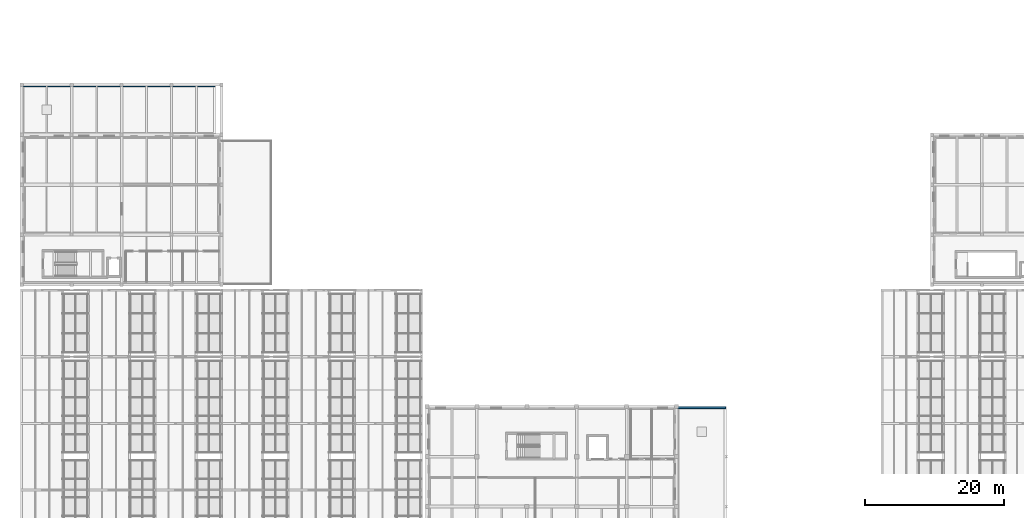
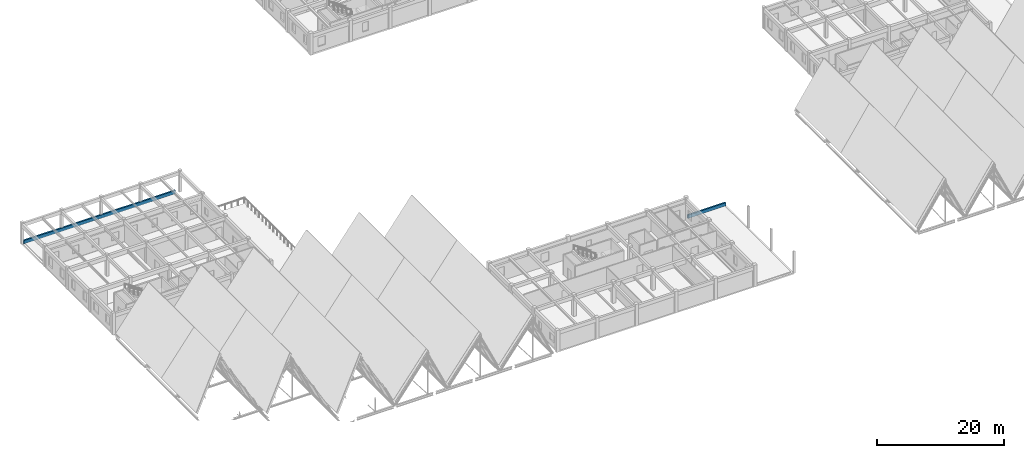
# One storey, part 85 of 99: 2 walls.
"""IFC4 building model written with IfcOpenShell, lengths in metres."""

from ifc_helpers import new_model, si_unit, direction, frame, frame_2d, origin, place, context, subcontext, project, spatial, rectangle, extrude, material, layer, layer_set, type_object, element, save


model = new_model("IFC4")

# Units and contexts
model_context = context("Model", 3, precision=1e-05, world=origin(), true_north=direction((0.0, 1.0)))
body_context = subcontext(model_context, "Body", "Model", "MODEL_VIEW")
ifc_project = project(units=[si_unit("LENGTHUNIT", "METRE"), si_unit("AREAUNIT", "SQUARE_METRE"), si_unit("VOLUMEUNIT", "CUBIC_METRE"), si_unit("PLANEANGLEUNIT", "RADIAN"), si_unit("MASSUNIT", "GRAM", prefix="KILO")], contexts=[model_context])

# Site, building, storey
site_placement = place(None, origin())
site = spatial("IfcSite", under=ifc_project, at=site_placement, CompositionType="ELEMENT")
building_placement = place(site_placement, origin())
building = spatial("IfcBuilding", under=site, at=building_placement, Name="Bramveld Media Centre", CompositionType="ELEMENT")
storey_placement = place(building_placement, frame((0.0, 0.0, 13.800048828125)))
storey = spatial("IfcBuildingStorey", under=building, at=storey_placement, Name="L03", CompositionType="ELEMENT", Elevation=13.800048828125)

# Walls
ifc_material = material(Name="Flemish brick-faced parapet upstand with Concrete C35/45 core", Category="masonry")
ifc_layer = layer(ifc_material, 0.280029296875)
ifc_layer_set = layer_set([ifc_layer], Name="Flemish brick-faced parapet upstand with Concrete C35/45 core")
wall_type = type_object("IfcWallType", Name="PARAPET-280", PredefinedType="PARAPET", material=ifc_layer_set)
wall_1_placement = place(storey_placement, frame((0.14990234375, 67.860107421875, 0.0), z_axis=(0.0, 0.0, 1.0), x_axis=(1.0, 0.0, 0.0)))
element("IfcWall", 1, at=wall_1_placement, inside=storey, type_object=wall_type, Name="V3 L03 roof parapet upstand", PredefinedType="PARAPET", context=body_context, shape_type="SweptSolid", body=[
    extrude(rectangle(XDim=27.7001953125, YDim=0.280029296875, at=frame_2d((13.85009765625, 0.0))), origin(), (0.0, 0.0, 1.0), 0.64990234375),
])
wall_2_placement = place(storey_placement, frame((94.550048828125, 21.4599609375, 0.0), z_axis=(0.0, 0.0, 1.0), x_axis=(1.0, 0.0, 0.0)))
element("IfcWall", 2, at=wall_2_placement, inside=storey, type_object=wall_type, Name="V5 L03 roof parapet upstand", PredefinedType="PARAPET", context=body_context, shape_type="SweptSolid", body=[
    extrude(rectangle(XDim=6.89990234375, YDim=0.280029296875, at=frame_2d((3.449951171875, 0.0))), origin(), (0.0, 0.0, 1.0), 0.64990234375),
])

save(model, "model.ifc")
